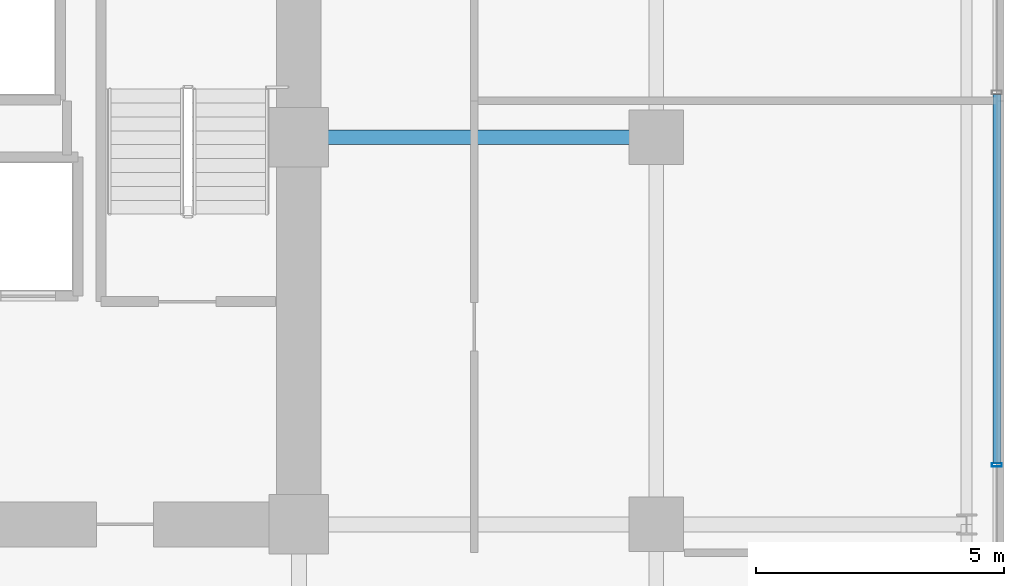
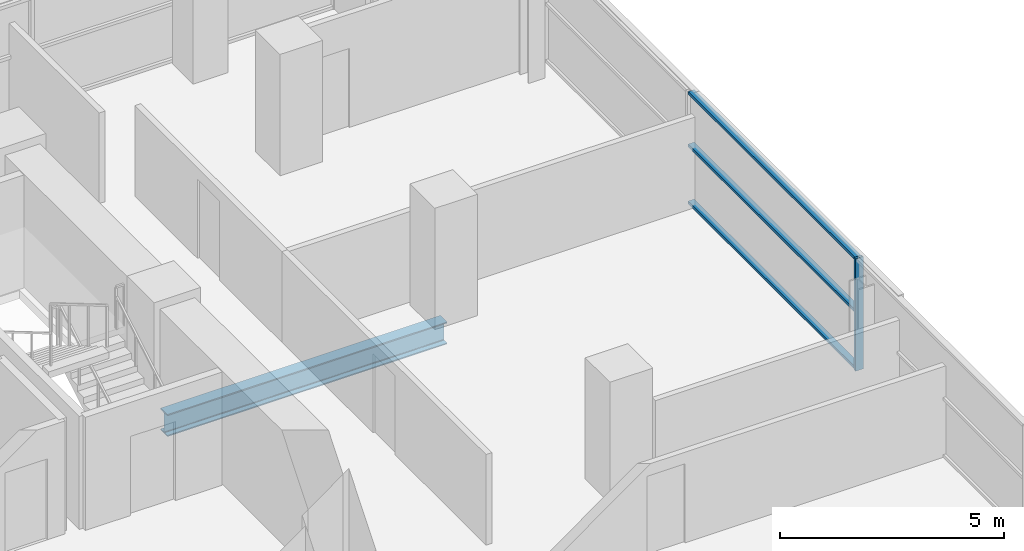
# One storey, part 15 of 30: 4 members, 1 beam, 1 element without a shape of its own.
"""IFC4 building model written with IfcOpenShell, lengths in metres."""

from ifc_helpers import new_model, si_unit, direction, frame, origin, origin_2d, place, context, subcontext, project, spatial, hollow_rectangle, i_section, extrude, source, transform, mapped, material, layer, layer_set, material_profile, profile_set, type_object, element, aggregate, save


model = new_model("IFC4")

# Units and contexts
model_context = context("Model", 3, precision=1e-05, world=origin(), true_north=direction((0.0, 1.0)))
body_context = subcontext(model_context, "Body", "Model", "MODEL_VIEW")
ifc_project = project(units=[si_unit("LENGTHUNIT", "METRE"), si_unit("AREAUNIT", "SQUARE_METRE"), si_unit("VOLUMEUNIT", "CUBIC_METRE"), si_unit("PLANEANGLEUNIT", "RADIAN"), si_unit("MASSUNIT", "GRAM", prefix="KILO")], contexts=[model_context])

# Site, building, storey
site_placement = place(None, origin())
site = spatial("IfcSite", under=ifc_project, at=site_placement, CompositionType="ELEMENT")
building_placement = place(site_placement, origin())
building = spatial("IfcBuilding", under=site, at=building_placement, Name="Zarnakvel Exchange Tower", CompositionType="ELEMENT")
storey_placement = place(building_placement, frame((0.0, 0.0, 40.60009765625)))
storey = spatial("IfcBuildingStorey", under=building, at=storey_placement, Name="L10", CompositionType="ELEMENT", Elevation=40.60009765625)

# Beam
ifc_material_1 = material(Name="Steel S355", Category="steel")
ifc_material_profile_1 = material_profile(ifc_material_1, i_section(OverallWidth=0.300048828125, OverallDepth=0.60009765625, WebThickness=0.015380859375, FlangeThickness=0.030029296875, FilletRadius=0.027099609375, at=origin_2d()))
ifc_profile_set_1 = profile_set([ifc_material_profile_1], Name="Steel S355")
beam_type = type_object("IfcBeamType", Name="G-04", PredefinedType="BEAM", material=ifc_profile_set_1)
beam_placement = place(storey_placement, frame((14.39990234375, 6.60009765625, -0.525146484375), z_axis=(1.0, 0.0, 0.0), x_axis=(0.0, 1.0, 0.0)))
element("IfcBeam", 1, at=beam_placement, inside=storey, type_object=beam_type, Name="L10 Tower E-W Frame Beam", PredefinedType="BEAM", context=body_context, shape_type="SweptSolid", body=[
    extrude(i_section(OverallWidth=0.300048828125, OverallDepth=0.60009765625, WebThickness=0.015380859375, FlangeThickness=0.030029296875, FilletRadius=0.027099609375, at=origin_2d()), origin(), (0.0, 0.0, 1.0), 7.2001953125),
])

# Curtain wall, members
ifc_material_2 = material(Name="Architectural Bronze Anodised Aluminium", Category="aluminium")
ifc_layer = layer(ifc_material_2, 0.199951171875)
ifc_layer_set = layer_set([ifc_layer], Name="Architectural Bronze Anodised Aluminium")
curtain_wall_type = type_object("IfcCurtainWallType", Name="CW-04", PredefinedType="NOTDEFINED", material=ifc_layer_set)
curtain_wall_placement = place(storey_placement, origin())
curtain_wall = element("IfcCurtainWall", 2, at=curtain_wall_placement, inside=storey, type_object=curtain_wall_type, Name="L10 Curtain Wall CW-L10-E1 (CW-04)", PredefinedType="NOTDEFINED")
ifc_material_profile_2 = material_profile(ifc_material_2, hollow_rectangle(XDim=0.159912109375, YDim=0.074951171875, WallThickness=0.00390625, at=origin_2d()))
ifc_profile_set_2 = profile_set([ifc_material_profile_2], Name="Architectural Bronze Anodised Aluminium")
member_type_1 = type_object("IfcMemberType", Name="CWT-04", PredefinedType="USERDEFINED", material=ifc_profile_set_2)
shared_shape_1 = source(origin(), body_context, "Body", "SweptSolid", [
    extrude(hollow_rectangle(XDim=0.159912109375, YDim=0.074951171875, WallThickness=0.00390625, at=origin_2d()), origin(), (0.0, 0.0, 1.0), 7.4248046875),
])
member_1_placement = place(storey_placement, frame((28.4599609375, 0.03759765625, 0.037353515625), z_axis=(0.0, 1.0, 0.0), x_axis=(-1.0, 0.0, 0.0)))
member_1 = element("IfcMember", 3, at=member_1_placement, type_object=member_type_1, Name="CW-04 transom 3.1", ObjectType="TRANSOM", PredefinedType="USERDEFINED", context=body_context, shape_type="MappedRepresentation", body=[
    mapped(shared_shape_1, transform((0.0, 0.0, 0.0), x_axis=(1.0, 0.0, 0.0), y_axis=(0.0, 1.0, 0.0), z_axis=(0.0, 0.0, 1.0), scale=1.0)),
])
member_2_placement = place(storey_placement, frame((28.4599609375, 0.03759765625, 1.588623046875), z_axis=(0.0, 1.0, 0.0), x_axis=(-1.0, 0.0, 0.0)))
member_2 = element("IfcMember", 4, at=member_2_placement, type_object=member_type_1, Name="CW-04 transom 3.2", ObjectType="TRANSOM", PredefinedType="USERDEFINED", context=body_context, shape_type="MappedRepresentation", body=[
    mapped(shared_shape_1, transform((0.0, 0.0, 0.0), x_axis=(1.0, 0.0, 0.0), y_axis=(0.0, 1.0, 0.0), z_axis=(0.0, 0.0, 1.0), scale=1.0)),
])
member_3_placement = place(storey_placement, frame((28.4599609375, 0.03759765625, 3.017333984375), z_axis=(0.0, 1.0, 0.0), x_axis=(-1.0, 0.0, 0.0)))
member_3 = element("IfcMember", 5, at=member_3_placement, type_object=member_type_1, Name="CW-04 transom 3.3", ObjectType="TRANSOM", PredefinedType="USERDEFINED", context=body_context, shape_type="MappedRepresentation", body=[
    mapped(shared_shape_1, transform((0.0, 0.0, 0.0), x_axis=(1.0, 0.0, 0.0), y_axis=(0.0, 1.0, 0.0), z_axis=(0.0, 0.0, 1.0), scale=1.0)),
])
ifc_material_profile_3 = material_profile(ifc_material_2, hollow_rectangle(XDim=0.199951171875, YDim=0.074951171875, WallThickness=0.0048828125, at=origin_2d()))
ifc_profile_set_3 = profile_set([ifc_material_profile_3], Name="Architectural Bronze Anodised Aluminium")
member_type_2 = type_object("IfcMemberType", Name="CWM-04", PredefinedType="MULLION", material=ifc_profile_set_3)
shared_shape_2 = source(origin(), body_context, "Body", "SweptSolid", [
    extrude(hollow_rectangle(XDim=0.199951171875, YDim=0.074951171875, WallThickness=0.0048828125, at=origin_2d()), origin(), (0.0, 0.0, 1.0), 3.054931640625),
])
member_4_placement = place(storey_placement, frame((28.4599609375, 0.0, 0.0), z_axis=(0.0, 0.0, 1.0), x_axis=(-1.0, 0.0, 0.0)))
member_4 = element("IfcMember", 6, at=member_4_placement, type_object=member_type_2, Name="CW-04 mullion 3", PredefinedType="MULLION", context=body_context, shape_type="MappedRepresentation", body=[
    mapped(shared_shape_2, transform((0.0, 0.0, 0.0), x_axis=(1.0, 0.0, 0.0), y_axis=(0.0, 1.0, 0.0), z_axis=(0.0, 0.0, 1.0), scale=1.0)),
])
aggregate(curtain_wall, [member_4, member_1, member_2, member_3])

save(model, "model.ifc")
